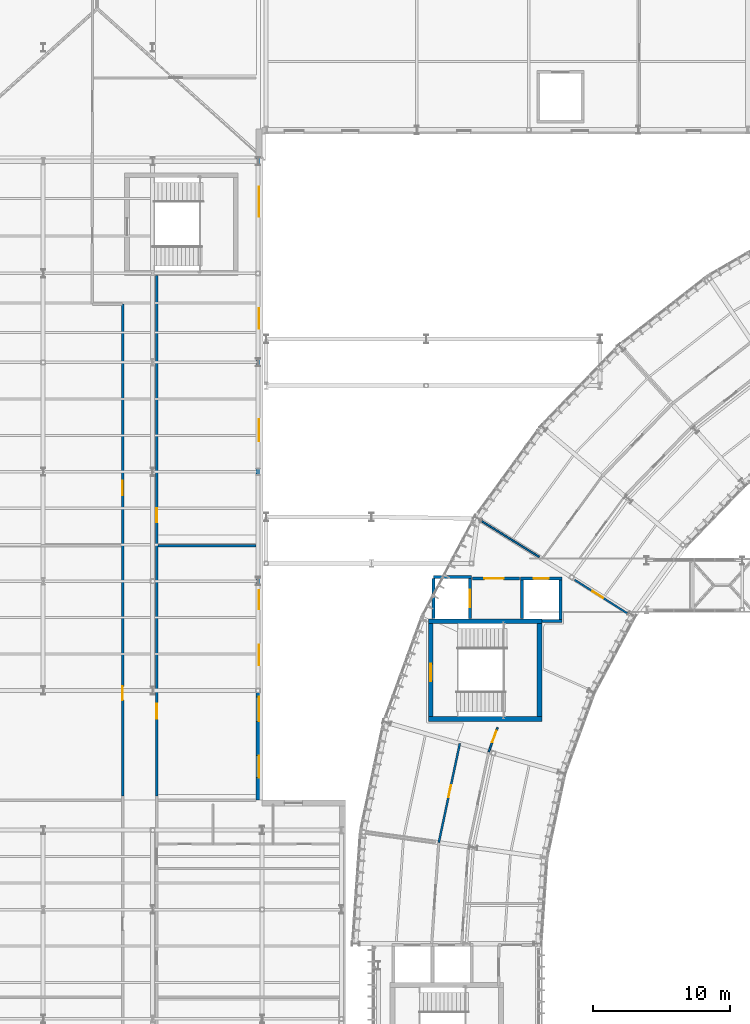
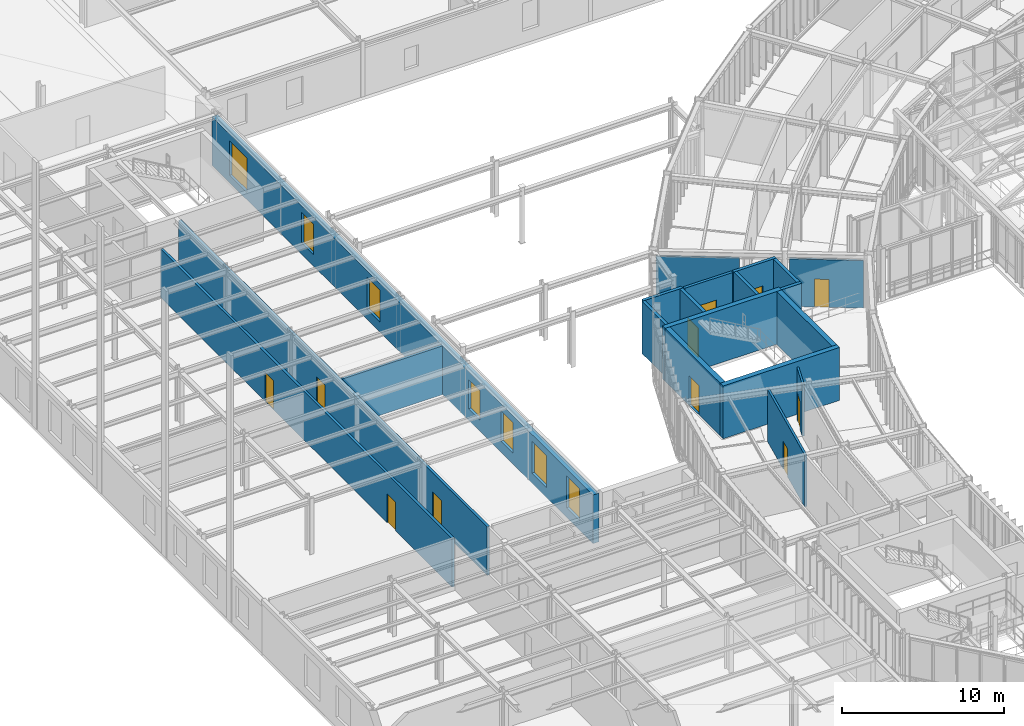
# One storey, part 126 of 148: 20 walls, 11 doors, 7 windows, 18 openings.
"""IFC4 building model written with IfcOpenShell, lengths in metres."""

import ifcopenshell
import ifcopenshell.guid

model = None  # the IFC model being written
_history = None  # IfcOwnerHistory: only IFC2X3 demands one
_inside = {}  # id of a spatial element -> (the spatial element, [elements in it])
_under = {}  # id of a project, library or spatial element -> (it, [spatial elements below it])
_declared = {}  # id of a project -> (the project, [libraries it declares])
_typed = {}  # id of a type object -> (the type object, [elements of that type])
_made_of = {}  # id of a material, layer set ... -> (it, [elements and type objects made of it])


def new_model(schema):
    """Start an empty IFC model of exactly this schema.

    Asked for "IFC4X3", IfcOpenShell would pick the latest addendum, in which some entities
    have other attributes; the version numbers below select the first issue.
    IFC2X3 requires an IfcOwnerHistory on every rooted entity: one is made here for all.
    """
    global model, _history
    if schema == "IFC4X3":
        model = ifcopenshell.file(schema_version=(4, 3, 0, 0))
    else:
        model = ifcopenshell.file(schema=schema)
    _inside.clear()
    _under.clear()
    _declared.clear()
    _typed.clear()
    _made_of.clear()
    _history = None
    if model.schema == "IFC2X3":
        org = make("IfcOrganization", Name="unknown")
        user = make(
            "IfcPersonAndOrganization",
            ThePerson=make("IfcPerson", FamilyName="unknown"),
            TheOrganization=org,
        )
        app = make(
            "IfcApplication",
            ApplicationDeveloper=org,
            Version="unknown",
            ApplicationFullName="unknown",
            ApplicationIdentifier="unknown",
        )
        _history = make(
            "IfcOwnerHistory",
            OwningUser=user,
            OwningApplication=app,
            ChangeAction="ADDED",
            CreationDate=0,
        )
    return model


def make(cls, **values):
    """One entity of the class cls with the attributes given. An attribute that is None is left unset."""
    return model.create_entity(
        cls, **{name: value for name, value in values.items() if value is not None}
    )


def rooted(cls, **values):
    """An entity with a GlobalId (a new one), such as an element, a storey or a relation."""
    return make(cls, GlobalId=ifcopenshell.guid.new(), OwnerHistory=_history, **values)


def si_unit(unit_type, name, prefix=None):
    """IfcSIUnit, for example si_unit("LENGTHUNIT", "METRE", prefix="MILLI")."""
    return make("IfcSIUnit", UnitType=unit_type, Prefix=prefix, Name=name)


def assignment(units):
    """IfcUnitAssignment: the units of a project."""
    return None if units is None else make("IfcUnitAssignment", Units=units)


def point(xyz):
    """IfcCartesianPoint."""
    return None if xyz is None else make("IfcCartesianPoint", Coordinates=xyz)


def direction(xyz):
    """IfcDirection."""
    return None if xyz is None else make("IfcDirection", DirectionRatios=xyz)


def frame(location, z_axis=None, x_axis=None):
    """IfcAxis2Placement3D, a coordinate frame: its origin and axes. An axis left out is left unset."""
    return make(
        "IfcAxis2Placement3D",
        Location=point(location),
        Axis=direction(z_axis),
        RefDirection=direction(x_axis),
    )


def frame_2d(location, x_axis=None):
    """IfcAxis2Placement2D, a coordinate frame in the plane: its origin and x axis."""
    return make(
        "IfcAxis2Placement2D", Location=point(location), RefDirection=direction(x_axis)
    )


def origin():
    """The frame at (0, 0, 0) with its axes left unset."""
    return frame((0.0, 0.0, 0.0))


def place(relative_to, where):
    """IfcLocalPlacement: puts the frame where relative to a parent placement (None: the world)."""
    return make(
        "IfcLocalPlacement", PlacementRelTo=relative_to, RelativePlacement=where
    )


def context(
    kind, dimensions, precision=None, world=None, true_north=None, identifier=None
):
    """IfcGeometricRepresentationContext, for example the 3D "Model" context."""
    return make(
        "IfcGeometricRepresentationContext",
        ContextIdentifier=identifier,
        ContextType=kind,
        CoordinateSpaceDimension=dimensions,
        Precision=precision,
        WorldCoordinateSystem=world,
        TrueNorth=true_north,
    )


def subcontext(parent, identifier, kind, view, scale=None):
    """IfcGeometricRepresentationSubContext, for example "Body" below "Model"."""
    return make(
        "IfcGeometricRepresentationSubContext",
        ContextIdentifier=identifier,
        ContextType=kind,
        ParentContext=parent,
        TargetScale=scale,
        TargetView=view,
    )


def project(units=None, contexts=None):
    """IfcProject with its units and contexts."""
    return rooted(
        "IfcProject",
        Name="project",
        RepresentationContexts=contexts,
        UnitsInContext=assignment(units),
    )


def spatial(cls, under=None, at=None, **own):
    """A site, building, storey or space (cls), placed at a placement, below another one or the project."""
    s = rooted(cls, ObjectPlacement=at, **own)
    if under is not None:
        _under.setdefault(under.id(), (under, []))[1].append(s)
    return s


def profile(cls, at=None, kind="AREA", **sizes):
    """A parametric profile (cls). Its sizes go by their IFC names, for example OverallWidth=200.0."""
    return make(cls, ProfileType=kind, Position=at, **sizes)


def rectangle(**sizes):
    """IfcRectangleProfileDef."""
    return profile("IfcRectangleProfileDef", **sizes)


def extrude(swept, where, along, depth):
    """IfcExtrudedAreaSolid: the profile swept, set in the frame where, extruded along a direction by depth."""
    return make(
        "IfcExtrudedAreaSolid",
        SweptArea=swept,
        Position=where,
        ExtrudedDirection=direction(along),
        Depth=depth,
    )


def shape(context_of_items, identifier, shape_type, items):
    """IfcShapeRepresentation: the items that make up one representation, for example the "Body"."""
    return make(
        "IfcShapeRepresentation",
        ContextOfItems=context_of_items,
        RepresentationIdentifier=identifier,
        RepresentationType=shape_type,
        Items=items,
    )


def material(Name=None, Category=None):
    """IfcMaterial."""
    return make("IfcMaterial", Name=Name, Category=Category)


def layer(
    of_material, thickness, ventilated=None, Name=None, Category=None, Priority=None
):
    """IfcMaterialLayer: one layer of a wall or slab, of a material (None: an air gap)."""
    return make(
        "IfcMaterialLayer",
        Material=of_material,
        LayerThickness=thickness,
        IsVentilated=ventilated,
        Name=Name,
        Category=Category,
        Priority=Priority,
    )


def layer_set(layers, Name=None):
    """IfcMaterialLayerSet."""
    return make("IfcMaterialLayerSet", MaterialLayers=layers, LayerSetName=Name)


def made_of(thing, what):
    """Note that an element or type object is made of a material, layer set ...; save() writes the relation."""
    if what is not None:
        _made_of.setdefault(what.id(), (what, []))[1].append(thing)
    return thing


def type_object(cls, material=None, **own):
    """A type object (cls), such as IfcWallType, which elements share."""
    return made_of(rooted(cls, **own), material)


def element(
    cls,
    number,
    at=None,
    inside=None,
    cuts=None,
    type_object=None,
    material=None,
    context=None,
    identifier="Body",
    shape_type=None,
    held_by="IfcProductDefinitionShape",
    body=None,
    shapes=None,
    **own,
):
    """One element of the class cls, such as IfcWall. Its Tag is "e" and its number.

    at: its placement. inside: the storey or other place that contains it. cuts: it is an
    opening in that element (IfcRelVoidsElement). A single representation is given by context,
    identifier, shape_type and body (its items); several are given by shapes. held_by: the class
    of the entity that holds the representations. save() writes the other relations.
    """
    e = rooted(cls, Tag="e%d" % number, ObjectPlacement=at, **own)
    if body is not None:
        shapes = [shape(context, identifier, shape_type, body)]
    if shapes is not None:
        e.Representation = make(held_by, Representations=shapes)
    if inside is not None:
        _inside.setdefault(inside.id(), (inside, []))[1].append(e)
    if cuts is not None:
        rooted(
            "IfcRelVoidsElement", RelatingBuildingElement=cuts, RelatedOpeningElement=e
        )
    if type_object is not None:
        _typed.setdefault(type_object.id(), (type_object, []))[1].append(e)
    return made_of(e, material)


def fill(opening, filler):
    """IfcRelFillsElement: the door or window that sits in an opening."""
    return rooted(
        "IfcRelFillsElement",
        RelatingOpeningElement=opening,
        RelatedBuildingElement=filler,
    )


def aggregate(whole, parts):
    """IfcRelAggregates: a whole, such as a stair, and the parts it consists of."""
    return rooted("IfcRelAggregates", RelatingObject=whole, RelatedObjects=parts)


def save(model, path):
    """Write the relations noted so far, then the file.

    IfcRelAggregates (storeys below a building ...), IfcRelContainedInSpatialStructure (elements
    in a storey), IfcRelDefinesByType, IfcRelAssociatesMaterial and IfcRelDeclares: one each for
    every whole, place, type object, material and project.
    """
    for whole, parts in _under.values():
        aggregate(whole, parts)
    for where, things in _inside.values():
        rooted(
            "IfcRelContainedInSpatialStructure",
            RelatedElements=things,
            RelatingStructure=where,
        )
    for kind, things in _typed.values():
        rooted("IfcRelDefinesByType", RelatedObjects=things, RelatingType=kind)
    for what, things in _made_of.values():
        rooted("IfcRelAssociatesMaterial", RelatedObjects=things, RelatingMaterial=what)
    for by, libraries in _declared.values():
        rooted("IfcRelDeclares", RelatingContext=by, RelatedDefinitions=libraries)
    model.write(path)


model = new_model("IFC4")

# Units and contexts
model_context = context("Model", 3, precision=1e-05, world=origin(), true_north=direction((0.0, 1.0)))
body_context = subcontext(model_context, "Body", "Model", "MODEL_VIEW")
ifc_project = project(units=[si_unit("LENGTHUNIT", "METRE"), si_unit("AREAUNIT", "SQUARE_METRE"), si_unit("VOLUMEUNIT", "CUBIC_METRE"), si_unit("PLANEANGLEUNIT", "RADIAN"), si_unit("MASSUNIT", "GRAM", prefix="KILO"), si_unit("THERMODYNAMICTEMPERATUREUNIT", "KELVIN"), si_unit("POWERUNIT", "WATT")], contexts=[model_context])

# Site, building, storey
site_placement = place(None, origin())
site = spatial("IfcSite", under=ifc_project, at=site_placement, CompositionType="ELEMENT")
building_placement = place(site_placement, origin())
building = spatial("IfcBuilding", under=site, at=building_placement, Name="Solvatero Civic Police Headquarters", CompositionType="ELEMENT")
storey_placement = place(building_placement, frame((0.0, 0.0, 5.10009765625)))
storey = spatial("IfcBuildingStorey", under=building, at=storey_placement, Name="L01", CompositionType="ELEMENT", Elevation=5.10009765625)

# Wall, openings, windows
ifc_material_1 = material(Name="Cream Limestone Ashlar", Category="masonry")
ifc_layer_1 = layer(ifc_material_1, 0.419921875)
ifc_layer_set_1 = layer_set([ifc_layer_1], Name="Cream Limestone Ashlar")
wall_type_1 = type_object("IfcWallType", Name="WL-EXT-LIME-420", PredefinedType="SOLIDWALL", material=ifc_layer_set_1)
wall_1_placement = place(storey_placement, frame((28.280029296875, 36.5, 0.0), z_axis=(0.0, 0.0, 1.0), x_axis=(0.0, 1.0, 0.0)))
wall_1 = element("IfcWall", 1, at=wall_1_placement, inside=storey, type_object=wall_type_1, Name="Exterior Wall WLE-L01-V6-E", PredefinedType="SOLIDWALL", context=body_context, shape_type="SweptSolid", body=[
    extrude(rectangle(XDim=47.0, YDim=0.419921875, at=frame_2d((23.5, 0.0))), origin(), (0.0, 0.0, 1.0), 3.659912109375),
])
opening_1_placement = place(wall_1_placement, frame((1.64990234375, 0.0, 0.739990234375)))
opening_1 = element("IfcOpeningElement", 2, at=opening_1_placement, cuts=wall_1, Name="Opening W-04", PredefinedType="OPENING", context=body_context, shape_type="SweptSolid", body=[
    extrude(rectangle(XDim=1.60009765625, YDim=2.39990234375, at=frame_2d((0.800048828125, 1.199951171875))), frame((0.0, 0.219970703125, 0.0), z_axis=(0.0, -1.0, 0.0), x_axis=(1.0, 0.0, 0.0)), (0.0, 0.0, 1.0), 0.43994140625),
])
opening_2_placement = place(wall_1_placement, frame((5.75, 0.0, 0.739990234375)))
opening_2 = element("IfcOpeningElement", 3, at=opening_2_placement, cuts=wall_1, Name="Opening W-05", PredefinedType="OPENING", context=body_context, shape_type="SweptSolid", body=[
    extrude(rectangle(XDim=1.800048828125, YDim=2.39990234375, at=frame_2d((0.89990234375, 1.199951171875))), frame((0.0, 0.219970703125, 0.0), z_axis=(0.0, -1.0, 0.0), x_axis=(1.0, 0.0, 0.0)), (0.0, 0.0, 1.0), 0.43994140625),
])
opening_3_placement = place(wall_1_placement, frame((9.85009765625, 0.0, 0.840087890625)))
opening_3 = element("IfcOpeningElement", 4, at=opening_3_placement, cuts=wall_1, Name="Opening W-03", PredefinedType="OPENING", context=body_context, shape_type="SweptSolid", body=[
    extrude(rectangle(XDim=1.5, YDim=2.300048828125, at=frame_2d((0.75, 1.14990234375))), frame((0.0, 0.219970703125, 0.0), z_axis=(0.0, -1.0, 0.0), x_axis=(1.0, 0.0, 0.0)), (0.0, 0.0, 1.0), 0.43994140625),
])
opening_4_placement = place(wall_1_placement, frame((13.949951171875, 0.0, 0.85009765625)))
opening_4 = element("IfcOpeningElement", 5, at=opening_4_placement, cuts=wall_1, Name="Opening W-02", PredefinedType="OPENING", context=body_context, shape_type="SweptSolid", body=[
    extrude(rectangle(XDim=1.39990234375, YDim=2.199951171875, at=frame_2d((0.699951171875, 1.10009765625))), frame((0.0, 0.219970703125, 0.0), z_axis=(0.0, -1.0, 0.0), x_axis=(1.0, 0.0, 0.0)), (0.0, 0.0, 1.0), 0.43994140625),
])
opening_5_placement = place(wall_1_placement, frame((26.25, 0.0, 0.739990234375)))
opening_5 = element("IfcOpeningElement", 6, at=opening_5_placement, cuts=wall_1, Name="Opening W-04", PredefinedType="OPENING", context=body_context, shape_type="SweptSolid", body=[
    extrude(rectangle(XDim=1.60009765625, YDim=2.39990234375, at=frame_2d((0.800048828125, 1.199951171875))), frame((0.0, 0.219970703125, 0.0), z_axis=(0.0, -1.0, 0.0), x_axis=(1.0, 0.0, 0.0)), (0.0, 0.0, 1.0), 0.43994140625),
])
opening_6_placement = place(wall_1_placement, frame((34.449951171875, 0.0, 0.840087890625)))
opening_6 = element("IfcOpeningElement", 7, at=opening_6_placement, cuts=wall_1, Name="Opening W-03", PredefinedType="OPENING", context=body_context, shape_type="SweptSolid", body=[
    extrude(rectangle(XDim=1.5, YDim=2.300048828125, at=frame_2d((0.75, 1.14990234375))), frame((0.0, 0.219970703125, 0.0), z_axis=(0.0, -1.0, 0.0), x_axis=(1.0, 0.0, 0.0)), (0.0, 0.0, 1.0), 0.43994140625),
])
opening_7_placement = place(wall_1_placement, frame((42.64990234375, 0.0, 0.5400390625)))
opening_7 = element("IfcOpeningElement", 8, at=opening_7_placement, cuts=wall_1, Name="Opening W-07", PredefinedType="OPENING", context=body_context, shape_type="SweptSolid", body=[
    extrude(rectangle(XDim=2.199951171875, YDim=2.60009765625, at=frame_2d((1.10009765625, 1.300048828125))), frame((0.0, 0.219970703125, 0.0), z_axis=(0.0, -1.0, 0.0), x_axis=(1.0, 0.0, 0.0)), (0.0, 0.0, 1.0), 0.43994140625),
])
ifc_material_2 = material(Name="Anodized Bronze Aluminium", Category="aluminium")
window_type_1 = type_object("IfcWindowType", Name="WN-CL-140x220", PartitioningType="SINGLE_PANEL", PredefinedType="WINDOW", material=ifc_material_2)
window_1_placement = place(opening_4_placement, origin())
window_1 = element("IfcWindow", 9, at=window_1_placement, inside=storey, type_object=window_type_1, Name="Exterior Window 0063", OverallHeight=2.199951171875, OverallWidth=1.39990234375, PartitioningType="SINGLE_PANEL", PredefinedType="WINDOW", context=body_context, shape_type="SweptSolid", body=[
    extrude(rectangle(XDim=1.39990234375, YDim=2.199951171875, at=frame_2d((0.699951171875, 1.10009765625))), frame((0.0, 0.030029296875, 0.0), z_axis=(0.0, -1.0, 0.0), x_axis=(1.0, 0.0, 0.0)), (0.0, 0.0, 1.0), 0.06005859375),
])
fill(opening_4, window_1)
window_type_2 = type_object("IfcWindowType", Name="WN-CL-150x230", PartitioningType="SINGLE_PANEL", PredefinedType="WINDOW", material=ifc_material_2)
window_2_placement = place(opening_3_placement, origin())
window_2 = element("IfcWindow", 10, at=window_2_placement, inside=storey, type_object=window_type_2, Name="Exterior Window 0062", OverallHeight=2.300048828125, OverallWidth=1.5, PartitioningType="SINGLE_PANEL", PredefinedType="WINDOW", context=body_context, shape_type="SweptSolid", body=[
    extrude(rectangle(XDim=1.5, YDim=2.300048828125, at=frame_2d((0.75, 1.14990234375))), frame((0.0, 0.030029296875, 0.0), z_axis=(0.0, -1.0, 0.0), x_axis=(1.0, 0.0, 0.0)), (0.0, 0.0, 1.0), 0.06005859375),
])
fill(opening_3, window_2)
window_3_placement = place(opening_6_placement, origin())
window_3 = element("IfcWindow", 11, at=window_3_placement, inside=storey, type_object=window_type_2, Name="Exterior Window 0065", OverallHeight=2.300048828125, OverallWidth=1.5, PartitioningType="SINGLE_PANEL", PredefinedType="WINDOW", context=body_context, shape_type="SweptSolid", body=[
    extrude(rectangle(XDim=1.5, YDim=2.300048828125, at=frame_2d((0.75, 1.14990234375))), frame((0.0, 0.030029296875, 0.0), z_axis=(0.0, -1.0, 0.0), x_axis=(1.0, 0.0, 0.0)), (0.0, 0.0, 1.0), 0.06005859375),
])
fill(opening_6, window_3)
window_type_3 = type_object("IfcWindowType", Name="WN-CL-160x240", PartitioningType="SINGLE_PANEL", PredefinedType="WINDOW", material=ifc_material_2)
window_4_placement = place(opening_1_placement, origin())
window_4 = element("IfcWindow", 12, at=window_4_placement, inside=storey, type_object=window_type_3, Name="Exterior Window 0060", OverallHeight=2.39990234375, OverallWidth=1.60009765625, PartitioningType="SINGLE_PANEL", PredefinedType="WINDOW", context=body_context, shape_type="SweptSolid", body=[
    extrude(rectangle(XDim=1.60009765625, YDim=2.39990234375, at=frame_2d((0.800048828125, 1.199951171875))), frame((0.0, 0.030029296875, 0.0), z_axis=(0.0, -1.0, 0.0), x_axis=(1.0, 0.0, 0.0)), (0.0, 0.0, 1.0), 0.06005859375),
])
fill(opening_1, window_4)
window_5_placement = place(opening_5_placement, origin())
window_5 = element("IfcWindow", 13, at=window_5_placement, inside=storey, type_object=window_type_3, Name="Exterior Window 0064", OverallHeight=2.39990234375, OverallWidth=1.60009765625, PartitioningType="SINGLE_PANEL", PredefinedType="WINDOW", context=body_context, shape_type="SweptSolid", body=[
    extrude(rectangle(XDim=1.60009765625, YDim=2.39990234375, at=frame_2d((0.800048828125, 1.199951171875))), frame((0.0, 0.030029296875, 0.0), z_axis=(0.0, -1.0, 0.0), x_axis=(1.0, 0.0, 0.0)), (0.0, 0.0, 1.0), 0.06005859375),
])
fill(opening_5, window_5)
window_type_4 = type_object("IfcWindowType", Name="WN-CL-180x240", PartitioningType="SINGLE_PANEL", PredefinedType="WINDOW", material=ifc_material_2)
window_6_placement = place(opening_2_placement, origin())
window_6 = element("IfcWindow", 14, at=window_6_placement, inside=storey, type_object=window_type_4, Name="Exterior Window 0061", OverallHeight=2.39990234375, OverallWidth=1.800048828125, PartitioningType="SINGLE_PANEL", PredefinedType="WINDOW", context=body_context, shape_type="SweptSolid", body=[
    extrude(rectangle(XDim=1.800048828125, YDim=2.39990234375, at=frame_2d((0.89990234375, 1.199951171875))), frame((0.0, 0.030029296875, 0.0), z_axis=(0.0, -1.0, 0.0), x_axis=(1.0, 0.0, 0.0)), (0.0, 0.0, 1.0), 0.06005859375),
])
fill(opening_2, window_6)
window_type_5 = type_object("IfcWindowType", Name="WN-CL-220x260", PartitioningType="SINGLE_PANEL", PredefinedType="WINDOW", material=ifc_material_2)
window_7_placement = place(opening_7_placement, origin())
window_7 = element("IfcWindow", 15, at=window_7_placement, inside=storey, type_object=window_type_5, Name="Exterior Window 0066", OverallHeight=2.60009765625, OverallWidth=2.199951171875, PartitioningType="SINGLE_PANEL", PredefinedType="WINDOW", context=body_context, shape_type="SweptSolid", body=[
    extrude(rectangle(XDim=2.199951171875, YDim=2.60009765625, at=frame_2d((1.10009765625, 1.300048828125))), frame((0.0, 0.030029296875, 0.0), z_axis=(0.0, -1.0, 0.0), x_axis=(1.0, 0.0, 0.0)), (0.0, 0.0, 1.0), 0.06005859375),
])
fill(opening_7, window_7)

# Wall
ifc_material_3 = material(Name="Gypsum Acoustic Stud", Category="gypsum")
ifc_layer_2 = layer(ifc_material_3, 0.1201171875)
ifc_layer_set_2 = layer_set([ifc_layer_2], Name="Gypsum Acoustic Stud")
wall_type_2 = type_object("IfcWallType", Name="WL-PTN-120", PredefinedType="PARTITIONING", material=ifc_layer_set_2)
wall_2_placement = place(storey_placement, frame((48.756591796875, 54.271240234375, 0.0), z_axis=(0.0, 0.0, 1.0), x_axis=(-0.848054228257, 0.529909450694, 0.0)))
element("IfcWall", 16, at=wall_2_placement, inside=storey, type_object=wall_type_2, Name="Interior Partition WLP-L01-ARC-RAD-B08", PredefinedType="PARTITIONING", context=body_context, shape_type="SweptSolid", body=[
    extrude(rectangle(XDim=5.14990234375, YDim=0.1201171875, at=frame_2d((2.574951171875, 0.0))), origin(), (0.0, 0.0, 1.0), 3.52978515625),
])

# Wall, opening, door
ifc_material_4 = material(Name="Gypsum Double-Stud", Category="gypsum")
ifc_layer_3 = layer(ifc_material_4, 0.135009765625)
ifc_layer_set_3 = layer_set([ifc_layer_3], Name="Gypsum Double-Stud")
wall_type_3 = type_object("IfcWallType", Name="WL-PTN-135", PredefinedType="PARTITIONING", material=ifc_layer_set_3)
wall_3_placement = place(storey_placement, frame((51.35009765625, 52.60009765625, 0.0), z_axis=(0.0, 0.0, 1.0), x_axis=(0.84363284859, -0.536920493909, 0.0)))
wall_3 = element("IfcWall", 17, at=wall_3_placement, inside=storey, type_object=wall_type_3, Name="Interior Partition WLP-L01-ARC-CIN-B09C", PredefinedType="PARTITIONING", context=body_context, shape_type="SweptSolid", body=[
    extrude(rectangle(XDim=4.5634765625, YDim=0.135009765625, at=frame_2d((2.28173828125, 0.0))), origin(), (0.0, 0.0, 1.0), 3.579833984375),
])
opening_8_placement = place(wall_3_placement, frame((1.550048828125, 0.0, 0.0)))
opening_8 = element("IfcOpeningElement", 18, at=opening_8_placement, cuts=wall_3, Name="Opening ID-02", PredefinedType="OPENING", context=body_context, shape_type="SweptSolid", body=[
    extrude(rectangle(XDim=0.89990234375, YDim=2.10009765625, at=frame_2d((0.449951171875, 1.050048828125))), frame((0.0, 0.077392578125, 0.0), z_axis=(0.0, -1.0, 0.0), x_axis=(1.0, 0.0, 0.0)), (0.0, 0.0, 1.0), 0.155029296875),
])
ifc_material_5 = material(Name="Acoustic Oak Timber Veneer", Category="wood")
door_type_1 = type_object("IfcDoorType", Name="DR-OFF-090x210", OperationType="NOTDEFINED", PredefinedType="DOOR", material=ifc_material_5)
door_1_placement = place(opening_8_placement, origin())
door_1 = element("IfcDoor", 19, at=door_1_placement, inside=storey, type_object=door_type_1, Name="Interior Door DR-L01-ARC-IN-B09", OperationType="SINGLE_SWING_LEFT", OverallHeight=2.10009765625, OverallWidth=0.89990234375, PredefinedType="DOOR", context=body_context, shape_type="SweptSolid", body=[
    extrude(rectangle(XDim=0.89990234375, YDim=2.10009765625, at=frame_2d((0.449951171875, 1.050048828125))), frame((0.0, 0.02490234375, 0.0), z_axis=(0.0, -1.0, 0.0), x_axis=(1.0, 0.0, 0.0)), (0.0, 0.0, 1.0), 0.050048828125),
])
fill(opening_8, door_1)

wall_4_placement = place(storey_placement, frame((45.716064453125, 41.800048828125, 0.0), z_axis=(0.0, 0.0, 1.0), x_axis=(-0.342003187451, -0.939698792046, 0.0)))
wall_4 = element("IfcWall", 20, at=wall_4_placement, inside=storey, type_object=wall_type_3, Name="Interior Partition WLP-L01-ARC-CIN-B10", PredefinedType="PARTITIONING", context=body_context, shape_type="SweptSolid", body=[
    extrude(rectangle(XDim=1.8837890625, YDim=0.135009765625, at=frame_2d((0.94189453125, 0.0))), origin(), (0.0, 0.0, 1.0), 3.919921875),
])
opening_9_placement = place(wall_4_placement, frame((0.239990234375, 0.0, 0.0)))
opening_9 = element("IfcOpeningElement", 21, at=opening_9_placement, cuts=wall_4, Name="Opening ID-02", PredefinedType="OPENING", context=body_context, shape_type="SweptSolid", body=[
    extrude(rectangle(XDim=0.89990234375, YDim=2.10009765625, at=frame_2d((0.449951171875, 1.050048828125))), frame((0.0, 0.077392578125, 0.0), z_axis=(0.0, -1.0, 0.0), x_axis=(1.0, 0.0, 0.0)), (0.0, 0.0, 1.0), 0.155029296875),
])
door_2_placement = place(opening_9_placement, origin())
door_2 = element("IfcDoor", 22, at=door_2_placement, inside=storey, type_object=door_type_1, Name="Interior Door DR-L01-ARC-IN-B10", OperationType="SINGLE_SWING_RIGHT", OverallHeight=2.10009765625, OverallWidth=0.89990234375, PredefinedType="DOOR", context=body_context, shape_type="SweptSolid", body=[
    extrude(rectangle(XDim=0.89990234375, YDim=2.10009765625, at=frame_2d((0.449951171875, 1.050048828125))), frame((0.0, 0.02490234375, 0.0), z_axis=(0.0, -1.0, 0.0), x_axis=(1.0, 0.0, 0.0)), (0.0, 0.0, 1.0), 0.050048828125),
])
fill(opening_9, door_2)

ifc_layer_4 = layer(ifc_material_3, 0.14990234375)
ifc_layer_set_4 = layer_set([ifc_layer_4], Name="Gypsum Acoustic Stud")
wall_type_4 = type_object("IfcWallType", Name="WL-PTN-150", PredefinedType="PARTITIONING", material=ifc_layer_set_4)
wall_5_placement = place(storey_placement, frame((42.95703125, 40.63623046875, 0.0), z_axis=(0.0, 0.0, 1.0), x_axis=(-0.207921820376, -0.978145447575, 0.0)))
wall_5 = element("IfcWall", 23, at=wall_5_placement, inside=storey, type_object=wall_type_4, Name="Interior Partition WLP-L01-ARC-COUT-B11", PredefinedType="PARTITIONING", context=body_context, shape_type="SweptSolid", body=[
    extrude(rectangle(XDim=7.407958984375, YDim=0.14990234375, at=frame_2d((3.7041015625, 0.0))), origin(), (0.0, 0.0, 1.0), 3.919921875),
])
opening_10_placement = place(wall_5_placement, frame((3.111083984375, 0.0, 0.0)))
opening_10 = element("IfcOpeningElement", 24, at=opening_10_placement, cuts=wall_5, Name="Opening ID-02", PredefinedType="OPENING", context=body_context, shape_type="SweptSolid", body=[
    extrude(rectangle(XDim=0.89990234375, YDim=2.10009765625, at=frame_2d((0.449951171875, 1.050048828125))), frame((0.0, 0.0849609375, 0.0), z_axis=(0.0, -1.0, 0.0), x_axis=(1.0, 0.0, 0.0)), (0.0, 0.0, 1.0), 0.169921875),
])
door_3_placement = place(opening_10_placement, origin())
door_3 = element("IfcDoor", 25, at=door_3_placement, inside=storey, type_object=door_type_1, Name="Interior Door DR-L01-ARC-OUT-B11", OperationType="SINGLE_SWING_RIGHT", OverallHeight=2.10009765625, OverallWidth=0.89990234375, PredefinedType="DOOR", context=body_context, shape_type="SweptSolid", body=[
    extrude(rectangle(XDim=0.89990234375, YDim=2.10009765625, at=frame_2d((0.449951171875, 1.050048828125))), frame((0.0, 0.02490234375, 0.0), z_axis=(0.0, -1.0, 0.0), x_axis=(1.0, 0.0, 0.0)), (0.0, 0.0, 1.0), 0.050048828125),
])
fill(opening_10, door_3)

# Wall
ifc_material_6 = material(Name="Concrete Blockwork", Category="masonry")
ifc_layer_5 = layer(ifc_material_6, 0.1650390625)
ifc_layer_set_5 = layer_set([ifc_layer_5], Name="Concrete Blockwork")
wall_type_5 = type_object("IfcWallType", Name="WL-PTN-165", PredefinedType="PARTITIONING", material=ifc_layer_set_5)
wall_6_placement = place(storey_placement, frame((20.89990234375, 55.10009765625, 0.0), z_axis=(0.0, 0.0, 1.0), x_axis=(1.0, 0.0, 0.0)))
element("IfcWall", 26, at=wall_6_placement, inside=storey, type_object=wall_type_5, Name="Interior Partition WLP-L01-V6-H2", PredefinedType="PARTITIONING", context=body_context, shape_type="SweptSolid", body=[
    extrude(rectangle(XDim=7.150146484375, YDim=0.1650390625, at=frame_2d((3.5751953125, 0.0))), origin(), (0.0, 0.0, 1.0), 3.669921875),
])

# Wall, openings, doors
ifc_layer_6 = layer(ifc_material_6, 0.179931640625)
ifc_layer_set_6 = layer_set([ifc_layer_6], Name="Concrete Blockwork")
wall_type_6 = type_object("IfcWallType", Name="WL-PTN-180", PredefinedType="PARTITIONING", material=ifc_layer_set_6)
wall_7_placement = place(storey_placement, frame((18.300048828125, 36.800048828125, 0.0), z_axis=(0.0, 0.0, 1.0), x_axis=(0.0, 1.0, 0.0)))
wall_7 = element("IfcWall", 27, at=wall_7_placement, inside=storey, type_object=wall_type_6, Name="Interior Partition WLP-L01-V6-CW", PredefinedType="PARTITIONING", context=body_context, shape_type="SweptSolid", body=[
    extrude(rectangle(XDim=35.949951171875, YDim=0.179931640625, at=frame_2d((17.97509765625, 0.0))), origin(), (0.0, 0.0, 1.0), 3.657958984375),
])
opening_11_placement = place(wall_7_placement, frame((7.0, 0.0, 0.0)))
opening_11 = element("IfcOpeningElement", 28, at=opening_11_placement, cuts=wall_7, Name="Opening ID-06", PredefinedType="OPENING", context=body_context, shape_type="SweptSolid", body=[
    extrude(rectangle(XDim=1.02001953125, YDim=2.179931640625, at=frame_2d((0.510009765625, 1.08984375))), frame((0.0, 0.099853515625, 0.0), z_axis=(0.0, -1.0, 0.0), x_axis=(1.0, 0.0, 0.0)), (0.0, 0.0, 1.0), 0.199951171875),
])
opening_12_placement = place(wall_7_placement, frame((22.0, 0.0, 0.0)))
opening_12 = element("IfcOpeningElement", 29, at=opening_12_placement, cuts=wall_7, Name="Opening ID-07", PredefinedType="OPENING", context=body_context, shape_type="SweptSolid", body=[
    extrude(rectangle(XDim=1.050048828125, YDim=2.199951171875, at=frame_2d((0.52490234375, 1.10009765625))), frame((0.0, 0.099853515625, 0.0), z_axis=(0.0, -1.0, 0.0), x_axis=(1.0, 0.0, 0.0)), (0.0, 0.0, 1.0), 0.199951171875),
])
ifc_material_7 = material(Name="Powder-Coated Steel", Category="steel")
door_type_2 = type_object("IfcDoorType", Name="DR-LAB-102x218", OperationType="NOTDEFINED", PredefinedType="DOOR", material=ifc_material_7)
door_4_placement = place(opening_11_placement, origin())
door_4 = element("IfcDoor", 30, at=door_4_placement, inside=storey, type_object=door_type_2, Name="Interior Door DR-L01-V6-SW", OperationType="SINGLE_SWING_LEFT", OverallHeight=2.179931640625, OverallWidth=1.02001953125, PredefinedType="DOOR", context=body_context, shape_type="SweptSolid", body=[
    extrude(rectangle(XDim=1.02001953125, YDim=2.179931640625, at=frame_2d((0.510009765625, 1.08984375))), frame((0.0, 0.02490234375, 0.0), z_axis=(0.0, -1.0, 0.0), x_axis=(1.0, 0.0, 0.0)), (0.0, 0.0, 1.0), 0.050048828125),
])
fill(opening_11, door_4)
door_type_3 = type_object("IfcDoorType", Name="DR-LAB-105x220", OperationType="NOTDEFINED", PredefinedType="DOOR", material=ifc_material_7)
door_5_placement = place(opening_12_placement, origin())
door_5 = element("IfcDoor", 31, at=door_5_placement, inside=storey, type_object=door_type_3, Name="Interior Door DR-L01-V6-NW", OperationType="SINGLE_SWING_RIGHT", OverallHeight=2.199951171875, OverallWidth=1.050048828125, PredefinedType="DOOR", context=body_context, shape_type="SweptSolid", body=[
    extrude(rectangle(XDim=1.050048828125, YDim=2.199951171875, at=frame_2d((0.52490234375, 1.10009765625))), frame((0.0, 0.02490234375, 0.0), z_axis=(0.0, -1.0, 0.0), x_axis=(1.0, 0.0, 0.0)), (0.0, 0.0, 1.0), 0.050048828125),
])
fill(opening_12, door_5)

wall_8_placement = place(storey_placement, frame((20.800048828125, 36.800048828125, 0.0), z_axis=(0.0, 0.0, 1.0), x_axis=(0.0, 1.0, 0.0)))
wall_8 = element("IfcWall", 32, at=wall_8_placement, inside=storey, type_object=wall_type_6, Name="Interior Partition WLP-L01-V6-CE", PredefinedType="PARTITIONING", context=body_context, shape_type="SweptSolid", body=[
    extrude(rectangle(XDim=38.050048828125, YDim=0.179931640625, at=frame_2d((19.02490234375, 0.0))), origin(), (0.0, 0.0, 1.0), 3.657958984375),
])
opening_13_placement = place(wall_8_placement, frame((5.64990234375, 0.0, 0.0)))
opening_13 = element("IfcOpeningElement", 33, at=opening_13_placement, cuts=wall_8, Name="Opening ID-08", PredefinedType="OPENING", context=body_context, shape_type="SweptSolid", body=[
    extrude(rectangle(XDim=1.080078125, YDim=2.219970703125, at=frame_2d((0.5400390625, 1.10986328125))), frame((0.0, 0.099853515625, 0.0), z_axis=(0.0, -1.0, 0.0), x_axis=(1.0, 0.0, 0.0)), (0.0, 0.0, 1.0), 0.199951171875),
])
opening_14_placement = place(wall_8_placement, frame((20.0, 0.0, 0.0)))
opening_14 = element("IfcOpeningElement", 34, at=opening_14_placement, cuts=wall_8, Name="Opening ID-07", PredefinedType="OPENING", context=body_context, shape_type="SweptSolid", body=[
    extrude(rectangle(XDim=1.050048828125, YDim=2.199951171875, at=frame_2d((0.52490234375, 1.10009765625))), frame((0.0, 0.099853515625, 0.0), z_axis=(0.0, -1.0, 0.0), x_axis=(1.0, 0.0, 0.0)), (0.0, 0.0, 1.0), 0.199951171875),
])
door_6_placement = place(opening_14_placement, origin())
door_6 = element("IfcDoor", 35, at=door_6_placement, inside=storey, type_object=door_type_3, Name="Interior Door DR-L01-V6-NE", OperationType="SINGLE_SWING_LEFT", OverallHeight=2.199951171875, OverallWidth=1.050048828125, PredefinedType="DOOR", context=body_context, shape_type="SweptSolid", body=[
    extrude(rectangle(XDim=1.050048828125, YDim=2.199951171875, at=frame_2d((0.52490234375, 1.10009765625))), frame((0.0, 0.02490234375, 0.0), z_axis=(0.0, -1.0, 0.0), x_axis=(1.0, 0.0, 0.0)), (0.0, 0.0, 1.0), 0.050048828125),
])
fill(opening_14, door_6)
door_type_4 = type_object("IfcDoorType", Name="DR-LAB-108x222", OperationType="NOTDEFINED", PredefinedType="DOOR", material=ifc_material_7)
door_7_placement = place(opening_13_placement, origin())
door_7 = element("IfcDoor", 36, at=door_7_placement, inside=storey, type_object=door_type_4, Name="Interior Door DR-L01-V6-SE", OperationType="SINGLE_SWING_RIGHT", OverallHeight=2.219970703125, OverallWidth=1.080078125, PredefinedType="DOOR", context=body_context, shape_type="SweptSolid", body=[
    extrude(rectangle(XDim=1.080078125, YDim=2.219970703125, at=frame_2d((0.5400390625, 1.10986328125))), frame((0.0, 0.02490234375, 0.0), z_axis=(0.0, -1.0, 0.0), x_axis=(1.0, 0.0, 0.0)), (0.0, 0.0, 1.0), 0.050048828125),
])
fill(opening_13, door_7)

# Wall, opening, door
ifc_layer_7 = layer(ifc_material_6, 0.199951171875)
ifc_layer_set_7 = layer_set([ifc_layer_7], Name="Concrete Blockwork")
wall_type_7 = type_object("IfcWallType", Name="WL-PTN-200", PredefinedType="PARTITIONING", material=ifc_layer_set_7)
wall_9_placement = place(storey_placement, frame((43.89990234375, 52.699951171875, 0.0), z_axis=(0.0, 0.0, 1.0), x_axis=(1.0, 0.0, 0.0)))
wall_9 = element("IfcWall", 37, at=wall_9_placement, inside=storey, type_object=wall_type_7, Name="Interior Partition WLP-FFL-C2-L01-N", PredefinedType="PARTITIONING", context=body_context, shape_type="SweptSolid", body=[
    extrude(rectangle(XDim=3.400146484375, YDim=0.199951171875, at=frame_2d((1.7001953125, 0.0))), origin(), (0.0, 0.0, 1.0), 3.919921875),
])
opening_15_placement = place(wall_9_placement, frame((0.85009765625, 0.0, 0.0)))
opening_15 = element("IfcOpeningElement", 38, at=opening_15_placement, cuts=wall_9, Name="Opening FD-02", PredefinedType="OPENING", context=body_context, shape_type="SweptSolid", body=[
    extrude(rectangle(XDim=1.39990234375, YDim=2.25, at=frame_2d((0.699951171875, 1.125))), frame((0.0, 0.10986328125, 0.0), z_axis=(0.0, -1.0, 0.0), x_axis=(1.0, 0.0, 0.0)), (0.0, 0.0, 1.0), 0.219970703125),
])
door_type_5 = type_object("IfcDoorType", Name="DR-LOB-140x225", OperationType="NOTDEFINED", PredefinedType="DOOR", material=ifc_material_7)
door_8_placement = place(opening_15_placement, origin())
door_8 = element("IfcDoor", 39, at=door_8_placement, inside=storey, type_object=door_type_5, Name="Interior Door DR-FFL-C2-L01-ACC", OperationType="DOUBLE_DOOR_SINGLE_SWING", OverallHeight=2.25, OverallWidth=1.39990234375, PredefinedType="DOOR", context=body_context, shape_type="SweptSolid", body=[
    extrude(rectangle(XDim=1.39990234375, YDim=2.25, at=frame_2d((0.699951171875, 1.125))), frame((0.0, 0.02490234375, 0.0), z_axis=(0.0, -1.0, 0.0), x_axis=(1.0, 0.0, 0.0)), (0.0, 0.0, 1.0), 0.050048828125),
])
fill(opening_15, door_8)

# Walls
ifc_material_8 = material(Name="Concrete C35/45", Category="concrete")
ifc_layer_8 = layer(ifc_material_8, 0.219970703125)
ifc_layer_set_8 = layer_set([ifc_layer_8], Name="Concrete C35/45")
wall_type_8 = type_object("IfcWallType", Name="WL-SHF-220", PredefinedType="PARTITIONING", material=ifc_layer_set_8)
wall_10_placement = place(storey_placement, frame((41.02001953125, 52.81005859375, 0.0), z_axis=(0.0, 0.0, 1.0), x_axis=(1.0, 0.0, 0.0)))
element("IfcWall", 40, at=wall_10_placement, inside=storey, type_object=wall_type_8, Name="Lift Shaft Wall WLS-FL-02-L01-N", PredefinedType="PARTITIONING", context=body_context, shape_type="SweptSolid", body=[
    extrude(rectangle(XDim=2.800048828125, YDim=0.219970703125, at=frame_2d((1.39990234375, 0.0))), origin(), (0.0, 0.0, 1.0), 3.919921875),
])
wall_11_placement = place(storey_placement, frame((41.02001953125, 49.760009765625, 0.0), z_axis=(0.0, 0.0, 1.0), x_axis=(0.0, 1.0, 0.0)))
element("IfcWall", 41, at=wall_11_placement, inside=storey, type_object=wall_type_8, Name="Lift Shaft Wall WLS-FL-02-L01-W", PredefinedType="PARTITIONING", context=body_context, shape_type="SweptSolid", body=[
    extrude(rectangle(XDim=2.93994140625, YDim=0.219970703125, at=frame_2d((1.469970703125, 0.0))), origin(), (0.0, 0.0, 1.0), 3.919921875),
])

# Wall, opening, door
wall_12_placement = place(storey_placement, frame((43.7099609375, 49.760009765625, 0.0), z_axis=(0.0, 0.0, 1.0), x_axis=(0.0, 1.0, 0.0)))
wall_12 = element("IfcWall", 42, at=wall_12_placement, inside=storey, type_object=wall_type_8, Name="Lift Shaft Wall WLS-FL-02-L01-E", PredefinedType="PARTITIONING", context=body_context, shape_type="SweptSolid", body=[
    extrude(rectangle(XDim=2.93994140625, YDim=0.219970703125, at=frame_2d((1.469970703125, 0.0))), origin(), (0.0, 0.0, 1.0), 3.919921875),
])
opening_16_placement = place(wall_12_placement, frame((0.820068359375, 0.0, 0.0)))
opening_16 = element("IfcOpeningElement", 43, at=opening_16_placement, cuts=wall_12, Name="Opening LD-02", PredefinedType="OPENING", context=body_context, shape_type="SweptSolid", body=[
    extrude(rectangle(XDim=1.300048828125, YDim=2.199951171875, at=frame_2d((0.64990234375, 1.10009765625))), frame((0.0, 0.119873046875, 0.0), z_axis=(0.0, -1.0, 0.0), x_axis=(1.0, 0.0, 0.0)), (0.0, 0.0, 1.0), 0.239990234375),
])
ifc_material_9 = material(Name="Stainless Steel Grade 316", Category="steel")
door_type_6 = type_object("IfcDoorType", Name="DR-LFT-130x220", OperationType="DOUBLE_DOOR_SLIDING", PredefinedType="DOOR", material=ifc_material_9)
door_9_placement = place(opening_16_placement, origin())
door_9 = element("IfcDoor", 44, at=door_9_placement, inside=storey, type_object=door_type_6, Name="Interior Door DR-LFT-FL-02-L01", OperationType="DOUBLE_DOOR_SLIDING", OverallHeight=2.199951171875, OverallWidth=1.300048828125, PredefinedType="DOOR", context=body_context, shape_type="SweptSolid", body=[
    extrude(rectangle(XDim=1.300048828125, YDim=2.199951171875, at=frame_2d((0.64990234375, 1.10009765625))), frame((0.0, 0.02490234375, 0.0), z_axis=(0.0, -1.0, 0.0), x_axis=(1.0, 0.0, 0.0)), (0.0, 0.0, 1.0), 0.050048828125),
])
fill(opening_16, door_9)

# Wall
wall_13_placement = place(storey_placement, frame((48.9599609375, 49.590087890625, 0.0), z_axis=(0.0, 0.0, 1.0), x_axis=(1.0, 0.0, 0.0)))
element("IfcWall", 45, at=wall_13_placement, inside=storey, type_object=wall_type_8, Name="Lift Shaft Wall WLS-LP-03-L01-S", PredefinedType="PARTITIONING", context=body_context, shape_type="SweptSolid", body=[
    extrude(rectangle(XDim=1.4599609375, YDim=0.219970703125, at=frame_2d((0.72998046875, 0.0))), origin(), (0.0, 0.0, 1.0), 3.919921875),
])

# Wall, opening, door
wall_14_placement = place(storey_placement, frame((47.3798828125, 52.7099609375, 0.0), z_axis=(0.0, 0.0, 1.0), x_axis=(1.0, 0.0, 0.0)))
wall_14 = element("IfcWall", 46, at=wall_14_placement, inside=storey, type_object=wall_type_8, Name="Lift Shaft Wall WLS-LP-03-L01-N", PredefinedType="PARTITIONING", context=body_context, shape_type="SweptSolid", body=[
    extrude(rectangle(XDim=3.0400390625, YDim=0.219970703125, at=frame_2d((1.52001953125, 0.0))), origin(), (0.0, 0.0, 1.0), 3.919921875),
])
opening_17_placement = place(wall_14_placement, frame((0.969970703125, 0.0, 0.0)))
opening_17 = element("IfcOpeningElement", 47, at=opening_17_placement, cuts=wall_14, Name="Opening LD-01", PredefinedType="OPENING", context=body_context, shape_type="SweptSolid", body=[
    extrude(rectangle(XDim=1.10009765625, YDim=2.14990234375, at=frame_2d((0.550048828125, 1.074951171875))), frame((0.0, 0.119873046875, 0.0), z_axis=(0.0, -1.0, 0.0), x_axis=(1.0, 0.0, 0.0)), (0.0, 0.0, 1.0), 0.239990234375),
])
door_type_7 = type_object("IfcDoorType", Name="DR-LFT-110x215", OperationType="DOUBLE_DOOR_SLIDING", PredefinedType="DOOR", material=ifc_material_9)
door_10_placement = place(opening_17_placement, origin())
door_10 = element("IfcDoor", 48, at=door_10_placement, inside=storey, type_object=door_type_7, Name="Interior Door DR-LFT-LP-03-L01", OperationType="DOUBLE_DOOR_SLIDING", OverallHeight=2.14990234375, OverallWidth=1.10009765625, PredefinedType="DOOR", context=body_context, shape_type="SweptSolid", body=[
    extrude(rectangle(XDim=1.10009765625, YDim=2.14990234375, at=frame_2d((0.550048828125, 1.074951171875))), frame((0.0, 0.02490234375, 0.0), z_axis=(0.0, -1.0, 0.0), x_axis=(1.0, 0.0, 0.0)), (0.0, 0.0, 1.0), 0.050048828125),
])
fill(opening_17, door_10)

# Walls
wall_15_placement = place(storey_placement, frame((47.489990234375, 49.760009765625, 0.0), z_axis=(0.0, 0.0, 1.0), x_axis=(0.0, 1.0, 0.0)))
element("IfcWall", 49, at=wall_15_placement, inside=storey, type_object=wall_type_8, Name="Lift Shaft Wall WLS-LP-03-L01-W", PredefinedType="PARTITIONING", context=body_context, shape_type="SweptSolid", body=[
    extrude(rectangle(XDim=2.840087890625, YDim=0.219970703125, at=frame_2d((1.419921875, 0.0))), origin(), (0.0, 0.0, 1.0), 3.919921875),
])
wall_16_placement = place(storey_placement, frame((50.31005859375, 49.699951171875, 0.0), z_axis=(0.0, 0.0, 1.0), x_axis=(0.0, 1.0, 0.0)))
element("IfcWall", 50, at=wall_16_placement, inside=storey, type_object=wall_type_8, Name="Lift Shaft Wall WLS-LP-03-L01-E", PredefinedType="PARTITIONING", context=body_context, shape_type="SweptSolid", body=[
    extrude(rectangle(XDim=2.900146484375, YDim=0.219970703125, at=frame_2d((1.4501953125, 0.0))), origin(), (0.0, 0.0, 1.0), 3.919921875),
])
ifc_material_10 = material(Name="Concrete C40/50", Category="concrete")
ifc_layer_9 = layer(ifc_material_10, 0.35009765625)
ifc_layer_set_9 = layer_set([ifc_layer_9], Name="Concrete C40/50")
wall_type_9 = type_object("IfcWallType", Name="WL-SHR-350", PredefinedType="SHEAR", material=ifc_layer_set_9)
for number, where, z_axis, x_axis, name in (
    (51, (40.64990234375, 42.425048828125, 0.0), (0.0, 0.0, 1.0), (1.0, 0.0, 0.0), "Core C2 Shear Wall S L01"),
    (52, (40.64990234375, 49.574951171875, 0.0), (0.0, 0.0, 1.0), (1.0, 0.0, 0.0), "Core C2 Shear Wall N L01"),
):
    element("IfcWall", number, at=place(storey_placement, frame(where, z_axis=z_axis, x_axis=x_axis)), inside=storey, type_object=wall_type_9, Name=name, PredefinedType="SHEAR", context=body_context, shape_type="SweptSolid", body=[
        extrude(rectangle(XDim=8.300048828125, YDim=0.35009765625, at=frame_2d((4.14990234375, 0.0))), origin(), (0.0, 0.0, 1.0), 3.97998046875),
    ])

# Wall, opening, door
wall_17_placement = place(storey_placement, frame((40.824951171875, 42.60009765625, 0.0), z_axis=(0.0, 0.0, 1.0), x_axis=(0.0, 1.0, 0.0)))
wall_17 = element("IfcWall", 53, at=wall_17_placement, inside=storey, type_object=wall_type_9, Name="Core C2 Shear Wall W L01", PredefinedType="SHEAR", context=body_context, shape_type="SweptSolid", body=[
    extrude(rectangle(XDim=6.7998046875, YDim=0.35009765625, at=frame_2d((3.39990234375, 0.0))), origin(), (0.0, 0.0, 1.0), 3.97998046875),
])
opening_18_placement = place(wall_17_placement, frame((2.60009765625, 0.0, 0.0)))
opening_18 = element("IfcOpeningElement", 54, at=opening_18_placement, cuts=wall_17, Name="Opening FD-01", PredefinedType="OPENING", context=body_context, shape_type="SweptSolid", body=[
    extrude(rectangle(XDim=1.25, YDim=2.199951171875, at=frame_2d((0.625, 1.10009765625))), frame((0.0, 0.18505859375, 0.0), z_axis=(0.0, -1.0, 0.0), x_axis=(1.0, 0.0, 0.0)), (0.0, 0.0, 1.0), 0.3701171875),
])
door_type_8 = type_object("IfcDoorType", Name="DR-STR-125x220", OperationType="NOTDEFINED", PredefinedType="DOOR", material=ifc_material_7)
door_11_placement = place(opening_18_placement, origin())
door_11 = element("IfcDoor", 55, at=door_11_placement, inside=storey, type_object=door_type_8, Name="Interior Door DR-STR-C2-L01", OperationType="SINGLE_SWING_LEFT", OverallHeight=2.199951171875, OverallWidth=1.25, PredefinedType="DOOR", context=body_context, shape_type="SweptSolid", body=[
    extrude(rectangle(XDim=1.25, YDim=2.199951171875, at=frame_2d((0.625, 1.10009765625))), frame((0.0, 0.02490234375, 0.0), z_axis=(0.0, -1.0, 0.0), x_axis=(1.0, 0.0, 0.0)), (0.0, 0.0, 1.0), 0.050048828125),
])
fill(opening_18, door_11)

# Wall
wall_18_placement = place(storey_placement, frame((48.77490234375, 42.60009765625, 0.0), z_axis=(0.0, 0.0, 1.0), x_axis=(0.0, 1.0, 0.0)))
element("IfcWall", 56, at=wall_18_placement, inside=storey, type_object=wall_type_9, Name="Core C2 Shear Wall E L01", PredefinedType="SHEAR", context=body_context, shape_type="SweptSolid", body=[
    extrude(rectangle(XDim=6.7998046875, YDim=0.35009765625, at=frame_2d((3.39990234375, 0.0))), origin(), (0.0, 0.0, 1.0), 3.97998046875),
])

save(model, "model.ifc")
